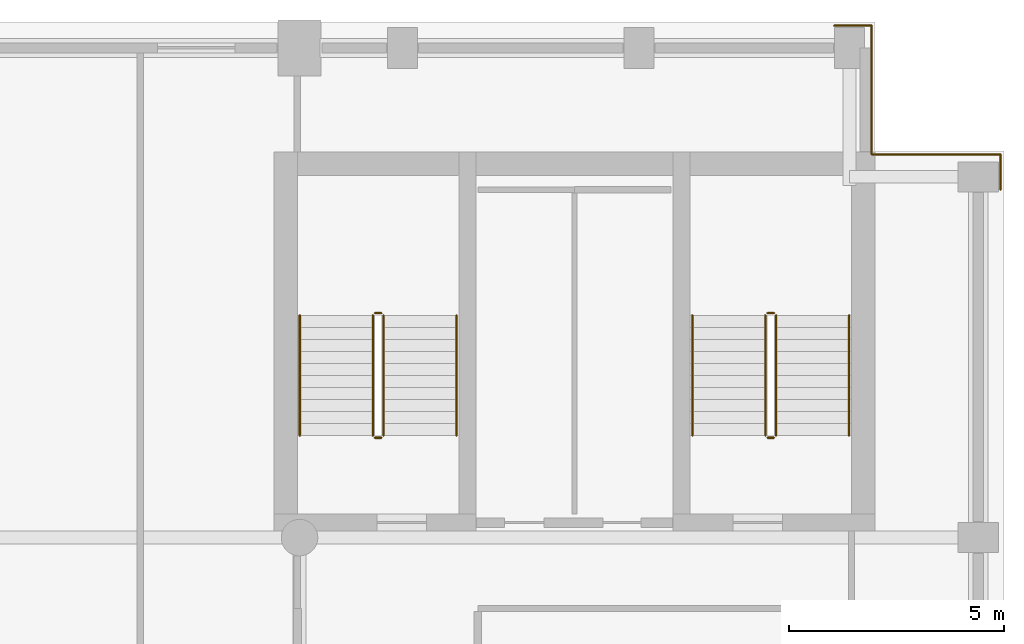
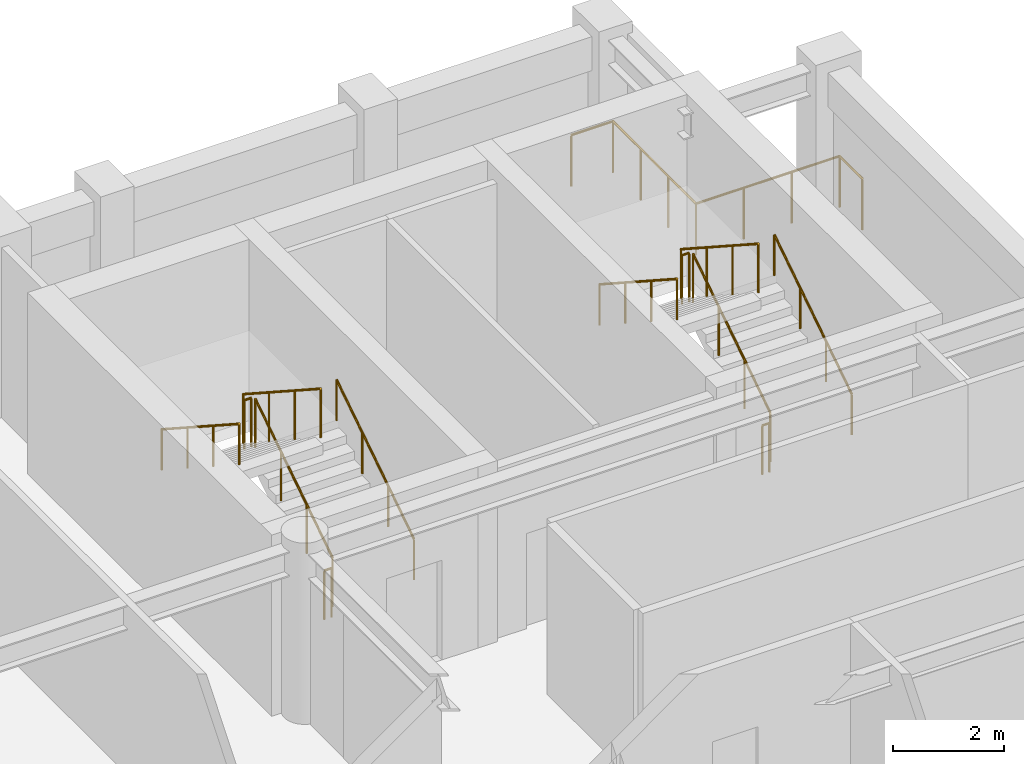
# One storey, part 9 of 9: 16 railings.
"""IFC4 building model written with IfcOpenShell, lengths in metres."""

import ifcopenshell
import ifcopenshell.guid

model = None  # the IFC model being written
_history = None  # IfcOwnerHistory: only IFC2X3 demands one
_inside = {}  # id of a spatial element -> (the spatial element, [elements in it])
_under = {}  # id of a project, library or spatial element -> (it, [spatial elements below it])
_declared = {}  # id of a project -> (the project, [libraries it declares])
_typed = {}  # id of a type object -> (the type object, [elements of that type])
_made_of = {}  # id of a material, layer set ... -> (it, [elements and type objects made of it])


def new_model(schema):
    """Start an empty IFC model of exactly this schema.

    Asked for "IFC4X3", IfcOpenShell would pick the latest addendum, in which some entities
    have other attributes; the version numbers below select the first issue.
    IFC2X3 requires an IfcOwnerHistory on every rooted entity: one is made here for all.
    """
    global model, _history
    if schema == "IFC4X3":
        model = ifcopenshell.file(schema_version=(4, 3, 0, 0))
    else:
        model = ifcopenshell.file(schema=schema)
    _inside.clear()
    _under.clear()
    _declared.clear()
    _typed.clear()
    _made_of.clear()
    _history = None
    if model.schema == "IFC2X3":
        org = make("IfcOrganization", Name="unknown")
        user = make(
            "IfcPersonAndOrganization",
            ThePerson=make("IfcPerson", FamilyName="unknown"),
            TheOrganization=org,
        )
        app = make(
            "IfcApplication",
            ApplicationDeveloper=org,
            Version="unknown",
            ApplicationFullName="unknown",
            ApplicationIdentifier="unknown",
        )
        _history = make(
            "IfcOwnerHistory",
            OwningUser=user,
            OwningApplication=app,
            ChangeAction="ADDED",
            CreationDate=0,
        )
    return model


def make(cls, **values):
    """One entity of the class cls with the attributes given. An attribute that is None is left unset."""
    return model.create_entity(
        cls, **{name: value for name, value in values.items() if value is not None}
    )


def rooted(cls, **values):
    """An entity with a GlobalId (a new one), such as an element, a storey or a relation."""
    return make(cls, GlobalId=ifcopenshell.guid.new(), OwnerHistory=_history, **values)


def si_unit(unit_type, name, prefix=None):
    """IfcSIUnit, for example si_unit("LENGTHUNIT", "METRE", prefix="MILLI")."""
    return make("IfcSIUnit", UnitType=unit_type, Prefix=prefix, Name=name)


def assignment(units):
    """IfcUnitAssignment: the units of a project."""
    return None if units is None else make("IfcUnitAssignment", Units=units)


def point(xyz):
    """IfcCartesianPoint."""
    return None if xyz is None else make("IfcCartesianPoint", Coordinates=xyz)


def direction(xyz):
    """IfcDirection."""
    return None if xyz is None else make("IfcDirection", DirectionRatios=xyz)


def frame(location, z_axis=None, x_axis=None):
    """IfcAxis2Placement3D, a coordinate frame: its origin and axes. An axis left out is left unset."""
    return make(
        "IfcAxis2Placement3D",
        Location=point(location),
        Axis=direction(z_axis),
        RefDirection=direction(x_axis),
    )


def frame_2d(location, x_axis=None):
    """IfcAxis2Placement2D, a coordinate frame in the plane: its origin and x axis."""
    return make(
        "IfcAxis2Placement2D", Location=point(location), RefDirection=direction(x_axis)
    )


def origin():
    """The frame at (0, 0, 0) with its axes left unset."""
    return frame((0.0, 0.0, 0.0))


def origin_2d():
    """The frame at (0, 0) in the plane with its x axis left unset."""
    return frame_2d((0.0, 0.0))


def place(relative_to, where):
    """IfcLocalPlacement: puts the frame where relative to a parent placement (None: the world)."""
    return make(
        "IfcLocalPlacement", PlacementRelTo=relative_to, RelativePlacement=where
    )


def context(
    kind, dimensions, precision=None, world=None, true_north=None, identifier=None
):
    """IfcGeometricRepresentationContext, for example the 3D "Model" context."""
    return make(
        "IfcGeometricRepresentationContext",
        ContextIdentifier=identifier,
        ContextType=kind,
        CoordinateSpaceDimension=dimensions,
        Precision=precision,
        WorldCoordinateSystem=world,
        TrueNorth=true_north,
    )


def subcontext(parent, identifier, kind, view, scale=None):
    """IfcGeometricRepresentationSubContext, for example "Body" below "Model"."""
    return make(
        "IfcGeometricRepresentationSubContext",
        ContextIdentifier=identifier,
        ContextType=kind,
        ParentContext=parent,
        TargetScale=scale,
        TargetView=view,
    )


def project(units=None, contexts=None):
    """IfcProject with its units and contexts."""
    return rooted(
        "IfcProject",
        Name="project",
        RepresentationContexts=contexts,
        UnitsInContext=assignment(units),
    )


def spatial(cls, under=None, at=None, **own):
    """A site, building, storey or space (cls), placed at a placement, below another one or the project."""
    s = rooted(cls, ObjectPlacement=at, **own)
    if under is not None:
        _under.setdefault(under.id(), (under, []))[1].append(s)
    return s


def profile(cls, at=None, kind="AREA", **sizes):
    """A parametric profile (cls). Its sizes go by their IFC names, for example OverallWidth=200.0."""
    return make(cls, ProfileType=kind, Position=at, **sizes)


def circle(**sizes):
    """IfcCircleProfileDef."""
    return profile("IfcCircleProfileDef", **sizes)


def extrude(swept, where, along, depth):
    """IfcExtrudedAreaSolid: the profile swept, set in the frame where, extruded along a direction by depth."""
    return make(
        "IfcExtrudedAreaSolid",
        SweptArea=swept,
        Position=where,
        ExtrudedDirection=direction(along),
        Depth=depth,
    )


def shape(context_of_items, identifier, shape_type, items):
    """IfcShapeRepresentation: the items that make up one representation, for example the "Body"."""
    return make(
        "IfcShapeRepresentation",
        ContextOfItems=context_of_items,
        RepresentationIdentifier=identifier,
        RepresentationType=shape_type,
        Items=items,
    )


def material(Name=None, Category=None):
    """IfcMaterial."""
    return make("IfcMaterial", Name=Name, Category=Category)


def made_of(thing, what):
    """Note that an element or type object is made of a material, layer set ...; save() writes the relation."""
    if what is not None:
        _made_of.setdefault(what.id(), (what, []))[1].append(thing)
    return thing


def type_object(cls, material=None, **own):
    """A type object (cls), such as IfcWallType, which elements share."""
    return made_of(rooted(cls, **own), material)


def element(
    cls,
    number,
    at=None,
    inside=None,
    cuts=None,
    type_object=None,
    material=None,
    context=None,
    identifier="Body",
    shape_type=None,
    held_by="IfcProductDefinitionShape",
    body=None,
    shapes=None,
    **own,
):
    """One element of the class cls, such as IfcWall. Its Tag is "e" and its number.

    at: its placement. inside: the storey or other place that contains it. cuts: it is an
    opening in that element (IfcRelVoidsElement). A single representation is given by context,
    identifier, shape_type and body (its items); several are given by shapes. held_by: the class
    of the entity that holds the representations. save() writes the other relations.
    """
    e = rooted(cls, Tag="e%d" % number, ObjectPlacement=at, **own)
    if body is not None:
        shapes = [shape(context, identifier, shape_type, body)]
    if shapes is not None:
        e.Representation = make(held_by, Representations=shapes)
    if inside is not None:
        _inside.setdefault(inside.id(), (inside, []))[1].append(e)
    if cuts is not None:
        rooted(
            "IfcRelVoidsElement", RelatingBuildingElement=cuts, RelatedOpeningElement=e
        )
    if type_object is not None:
        _typed.setdefault(type_object.id(), (type_object, []))[1].append(e)
    return made_of(e, material)


def aggregate(whole, parts):
    """IfcRelAggregates: a whole, such as a stair, and the parts it consists of."""
    return rooted("IfcRelAggregates", RelatingObject=whole, RelatedObjects=parts)


def save(model, path):
    """Write the relations noted so far, then the file.

    IfcRelAggregates (storeys below a building ...), IfcRelContainedInSpatialStructure (elements
    in a storey), IfcRelDefinesByType, IfcRelAssociatesMaterial and IfcRelDeclares: one each for
    every whole, place, type object, material and project.
    """
    for whole, parts in _under.values():
        aggregate(whole, parts)
    for where, things in _inside.values():
        rooted(
            "IfcRelContainedInSpatialStructure",
            RelatedElements=things,
            RelatingStructure=where,
        )
    for kind, things in _typed.values():
        rooted("IfcRelDefinesByType", RelatedObjects=things, RelatingType=kind)
    for what, things in _made_of.values():
        rooted("IfcRelAssociatesMaterial", RelatedObjects=things, RelatingMaterial=what)
    for by, libraries in _declared.values():
        rooted("IfcRelDeclares", RelatingContext=by, RelatedDefinitions=libraries)
    model.write(path)


model = new_model("IFC4")

# Units and contexts
model_context = context("Model", 3, precision=1e-05, world=origin(), true_north=direction((0.0, 1.0)))
body_context = subcontext(model_context, "Body", "Model", "MODEL_VIEW")
ifc_project = project(units=[si_unit("LENGTHUNIT", "METRE"), si_unit("AREAUNIT", "SQUARE_METRE"), si_unit("VOLUMEUNIT", "CUBIC_METRE"), si_unit("PLANEANGLEUNIT", "RADIAN"), si_unit("MASSUNIT", "GRAM", prefix="KILO")], contexts=[model_context])

# Site, building, storey
site_placement = place(None, origin())
site = spatial("IfcSite", under=ifc_project, at=site_placement, CompositionType="ELEMENT")
building_placement = place(site_placement, origin())
building = spatial("IfcBuilding", under=site, at=building_placement, Name="Sulina Concourse Tower", CompositionType="ELEMENT")
storey_placement = place(building_placement, frame((0.0, 0.0, 272.60009765625)))
storey = spatial("IfcBuildingStorey", under=building, at=storey_placement, Name="L66", CompositionType="ELEMENT", Elevation=272.60009765625)

# Railings
ifc_material_1 = material(Name="Galvanised steel railing", Category="steel")
railing_type_1 = type_object("IfcRailingType", Name="Core Stair Steel Guardrail 1150mm", PredefinedType="GUARDRAIL", material=ifc_material_1)
railing_1_placement = place(storey_placement, frame((54.050048828125, 45.919921875, 0.0)))
element("IfcRailing", 1, at=railing_1_placement, inside=storey, type_object=railing_type_1, Name="L66 perimeter edge safety guardrail NE1", PredefinedType="GUARDRAIL", context=body_context, shape_type="SweptSolid", body=[
    extrude(circle(Radius=0.02392578125, at=origin_2d()), frame((0.0, 0.0, 1.1259765625), z_axis=(1.0, 0.0, 0.0), x_axis=(0.0, 1.0, 0.0)), (0.0, 0.0, 1.0), 0.869873046875),
    extrude(circle(Radius=0.02099609375, at=origin_2d()), origin(), (0.0, 0.0, 1.0), 1.101806640625),
    extrude(circle(Radius=0.02099609375, at=origin_2d()), frame((0.869873046875, 0.0, 0.0)), (0.0, 0.0, 1.0), 1.101806640625),
])
railing_2_placement = place(storey_placement, frame((54.919921875, 45.919921875, 0.0)))
element("IfcRailing", 2, at=railing_2_placement, inside=storey, type_object=railing_type_1, Name="L66 perimeter edge safety guardrail NE2", PredefinedType="GUARDRAIL", context=body_context, shape_type="SweptSolid", body=[
    extrude(circle(Radius=0.02392578125, at=origin_2d()), frame((0.0, 0.0, 1.1259765625), z_axis=(0.0, -1.0, 0.0), x_axis=(1.0, 0.0, 0.0)), (0.0, 0.0, 1.0), 3.0),
    extrude(circle(Radius=0.02099609375, at=origin_2d()), origin(), (0.0, 0.0, 1.0), 1.101806640625),
    extrude(circle(Radius=0.02099609375, at=origin_2d()), frame((0.0, -1.0, 0.0)), (0.0, 0.0, 1.0), 1.101806640625),
    extrude(circle(Radius=0.02099609375, at=origin_2d()), frame((0.0, -2.0, 0.0)), (0.0, 0.0, 1.0), 1.101806640625),
    extrude(circle(Radius=0.02099609375, at=origin_2d()), frame((0.0, -3.0, 0.0)), (0.0, 0.0, 1.0), 1.101806640625),
])
railing_3_placement = place(storey_placement, frame((54.919921875, 42.919921875, 0.0)))
element("IfcRailing", 3, at=railing_3_placement, inside=storey, type_object=railing_type_1, Name="L66 perimeter edge safety guardrail NE3", PredefinedType="GUARDRAIL", context=body_context, shape_type="SweptSolid", body=[
    extrude(circle(Radius=0.02392578125, at=origin_2d()), frame((0.0, 0.0, 1.1259765625), z_axis=(1.0, 0.0, 0.0), x_axis=(0.0, 1.0, 0.0)), (0.0, 0.0, 1.0), 3.0),
    extrude(circle(Radius=0.02099609375, at=origin_2d()), origin(), (0.0, 0.0, 1.0), 1.101806640625),
    extrude(circle(Radius=0.02099609375, at=origin_2d()), frame((1.0, 0.0, 0.0)), (0.0, 0.0, 1.0), 1.101806640625),
    extrude(circle(Radius=0.02099609375, at=origin_2d()), frame((2.0, 0.0, 0.0)), (0.0, 0.0, 1.0), 1.101806640625),
    extrude(circle(Radius=0.02099609375, at=origin_2d()), frame((3.0, 0.0, 0.0)), (0.0, 0.0, 1.0), 1.101806640625),
])
railing_4_placement = place(storey_placement, frame((57.919921875, 42.919921875, 0.0)))
element("IfcRailing", 4, at=railing_4_placement, inside=storey, type_object=railing_type_1, Name="L66 perimeter edge safety guardrail NE4", PredefinedType="GUARDRAIL", context=body_context, shape_type="SweptSolid", body=[
    extrude(circle(Radius=0.02392578125, at=origin_2d()), frame((0.0, 0.0, 1.1259765625), z_axis=(0.0, -1.0, 0.0), x_axis=(1.0, 0.0, 0.0)), (0.0, 0.0, 1.0), 0.81982421875),
    extrude(circle(Radius=0.02099609375, at=origin_2d()), origin(), (0.0, 0.0, 1.0), 1.101806640625),
    extrude(circle(Radius=0.02099609375, at=origin_2d()), frame((0.0, -0.81982421875, 0.0)), (0.0, 0.0, 1.0), 1.101806640625),
])
railing_5_placement = place(storey_placement, frame((43.554931640625, 36.375, 0.181640625)))
element("IfcRailing", 5, at=railing_5_placement, inside=storey, type_object=railing_type_1, Name="L66 ST-3 stair guard 1", PredefinedType="GUARDRAIL", context=body_context, shape_type="SweptSolid", body=[
    extrude(circle(Radius=0.02392578125, at=origin_2d()), frame((0.0, 0.0, 1.076171875), z_axis=(0.0, 0.838672427954, 0.544636170843), x_axis=(-1.0, 0.0, 0.0)), (0.0, 0.0, 1.0), 3.338623046875),
    extrude(circle(Radius=0.02099609375, at=origin_2d()), origin(), (0.0, 0.0, 1.0), 1.052001953125),
    extrude(circle(Radius=0.02099609375, at=origin_2d()), frame((0.0, 0.933349609375, 0.606201171875)), (0.0, 0.0, 1.0), 1.052001953125),
    extrude(circle(Radius=0.02099609375, at=origin_2d()), frame((0.0, 1.86669921875, 1.212158203125)), (0.0, 0.0, 1.0), 1.052001953125),
    extrude(circle(Radius=0.02099609375, at=origin_2d()), frame((0.0, 2.800048828125, 1.818359375)), (0.0, 0.0, 1.0), 1.052001953125),
])
railing_6_placement = place(storey_placement, frame((43.5048828125, 39.22509765625, 2.0)))
element("IfcRailing", 6, at=railing_6_placement, inside=storey, type_object=railing_type_1, Name="L66 ST-3 stair guard 2", PredefinedType="GUARDRAIL", context=body_context, shape_type="SweptSolid", body=[
    extrude(circle(Radius=0.02392578125, at=origin_2d()), frame((0.0, 0.0, 1.076171875), z_axis=(-1.0, 0.0, 0.0), x_axis=(0.0, -1.0, 0.0)), (0.0, 0.0, 1.0), 0.14990234375),
    extrude(circle(Radius=0.02099609375, at=origin_2d()), origin(), (0.0, 0.0, 1.0), 1.052001953125),
    extrude(circle(Radius=0.02099609375, at=origin_2d()), frame((-0.14990234375, 0.0, 0.0)), (0.0, 0.0, 1.0), 1.052001953125),
])
railing_7_placement = place(storey_placement, frame((43.304931640625, 39.175048828125, 2.181640625)))
element("IfcRailing", 7, at=railing_7_placement, inside=storey, type_object=railing_type_1, Name="L66 ST-3 stair guard 3", PredefinedType="GUARDRAIL", context=body_context, shape_type="SweptSolid", body=[
    extrude(circle(Radius=0.02392578125, at=origin_2d()), frame((0.0, 0.0, 1.076171875), z_axis=(0.0, -0.838672427954, 0.544636170843), x_axis=(1.0, 0.0, 0.0)), (0.0, 0.0, 1.0), 3.338623046875),
    extrude(circle(Radius=0.02099609375, at=origin_2d()), origin(), (0.0, 0.0, 1.0), 1.052001953125),
    extrude(circle(Radius=0.02099609375, at=origin_2d()), frame((0.0, -0.933349609375, 0.606201171875)), (0.0, 0.0, 1.0), 1.052001953125),
    extrude(circle(Radius=0.02099609375, at=origin_2d()), frame((0.0, -1.86669921875, 1.212158203125)), (0.0, 0.0, 1.0), 1.052001953125),
    extrude(circle(Radius=0.02099609375, at=origin_2d()), frame((0.0, -2.800048828125, 1.818359375)), (0.0, 0.0, 1.0), 1.052001953125),
])
railing_8_placement = place(storey_placement, frame((43.5048828125, 36.324951171875, 0.0)))
element("IfcRailing", 8, at=railing_8_placement, inside=storey, type_object=railing_type_1, Name="L66 ST-3 stair guard 4", PredefinedType="GUARDRAIL", context=body_context, shape_type="SweptSolid", body=[
    extrude(circle(Radius=0.02392578125, at=origin_2d()), frame((0.0, 0.0, 1.076171875), z_axis=(-1.0, 0.0, 0.0), x_axis=(0.0, -1.0, 0.0)), (0.0, 0.0, 1.0), 0.14990234375),
    extrude(circle(Radius=0.02099609375, at=origin_2d()), origin(), (0.0, 0.0, 1.0), 1.052001953125),
    extrude(circle(Radius=0.02099609375, at=origin_2d()), frame((-0.14990234375, 0.0, 0.0)), (0.0, 0.0, 1.0), 1.052001953125),
])
railing_9_placement = place(storey_placement, frame((52.695068359375, 36.375, 0.181640625)))
element("IfcRailing", 9, at=railing_9_placement, inside=storey, type_object=railing_type_1, Name="L66 ST-4 stair guard 1", PredefinedType="GUARDRAIL", context=body_context, shape_type="SweptSolid", body=[
    extrude(circle(Radius=0.02392578125, at=origin_2d()), frame((0.0, 0.0, 1.076171875), z_axis=(0.0, 0.838672427954, 0.544636170843), x_axis=(-1.0, 0.0, 0.0)), (0.0, 0.0, 1.0), 3.338623046875),
    extrude(circle(Radius=0.02099609375, at=origin_2d()), origin(), (0.0, 0.0, 1.0), 1.052001953125),
    extrude(circle(Radius=0.02099609375, at=origin_2d()), frame((0.0, 0.933349609375, 0.606201171875)), (0.0, 0.0, 1.0), 1.052001953125),
    extrude(circle(Radius=0.02099609375, at=origin_2d()), frame((0.0, 1.86669921875, 1.212158203125)), (0.0, 0.0, 1.0), 1.052001953125),
    extrude(circle(Radius=0.02099609375, at=origin_2d()), frame((0.0, 2.800048828125, 1.818359375)), (0.0, 0.0, 1.0), 1.052001953125),
])
railing_10_placement = place(storey_placement, frame((52.64501953125, 39.22509765625, 2.0)))
element("IfcRailing", 10, at=railing_10_placement, inside=storey, type_object=railing_type_1, Name="L66 ST-4 stair guard 2", PredefinedType="GUARDRAIL", context=body_context, shape_type="SweptSolid", body=[
    extrude(circle(Radius=0.02392578125, at=origin_2d()), frame((0.0, 0.0, 1.076171875), z_axis=(-1.0, 0.0, 0.0), x_axis=(0.0, -1.0, 0.0)), (0.0, 0.0, 1.0), 0.14990234375),
    extrude(circle(Radius=0.02099609375, at=origin_2d()), origin(), (0.0, 0.0, 1.0), 1.052001953125),
    extrude(circle(Radius=0.02099609375, at=origin_2d()), frame((-0.14990234375, 0.0, 0.0)), (0.0, 0.0, 1.0), 1.052001953125),
])
railing_11_placement = place(storey_placement, frame((52.445068359375, 39.175048828125, 2.181640625)))
element("IfcRailing", 11, at=railing_11_placement, inside=storey, type_object=railing_type_1, Name="L66 ST-4 stair guard 3", PredefinedType="GUARDRAIL", context=body_context, shape_type="SweptSolid", body=[
    extrude(circle(Radius=0.02392578125, at=origin_2d()), frame((0.0, 0.0, 1.076171875), z_axis=(0.0, -0.838672427954, 0.544636170843), x_axis=(1.0, 0.0, 0.0)), (0.0, 0.0, 1.0), 3.338623046875),
    extrude(circle(Radius=0.02099609375, at=origin_2d()), origin(), (0.0, 0.0, 1.0), 1.052001953125),
    extrude(circle(Radius=0.02099609375, at=origin_2d()), frame((0.0, -0.933349609375, 0.606201171875)), (0.0, 0.0, 1.0), 1.052001953125),
    extrude(circle(Radius=0.02099609375, at=origin_2d()), frame((0.0, -1.86669921875, 1.212158203125)), (0.0, 0.0, 1.0), 1.052001953125),
    extrude(circle(Radius=0.02099609375, at=origin_2d()), frame((0.0, -2.800048828125, 1.818359375)), (0.0, 0.0, 1.0), 1.052001953125),
])
railing_12_placement = place(storey_placement, frame((52.64501953125, 36.324951171875, 0.0)))
element("IfcRailing", 12, at=railing_12_placement, inside=storey, type_object=railing_type_1, Name="L66 ST-4 stair guard 4", PredefinedType="GUARDRAIL", context=body_context, shape_type="SweptSolid", body=[
    extrude(circle(Radius=0.02392578125, at=origin_2d()), frame((0.0, 0.0, 1.076171875), z_axis=(-1.0, 0.0, 0.0), x_axis=(0.0, -1.0, 0.0)), (0.0, 0.0, 1.0), 0.14990234375),
    extrude(circle(Radius=0.02099609375, at=origin_2d()), origin(), (0.0, 0.0, 1.0), 1.052001953125),
    extrude(circle(Radius=0.02099609375, at=origin_2d()), frame((-0.14990234375, 0.0, 0.0)), (0.0, 0.0, 1.0), 1.052001953125),
])
ifc_material_2 = material(Name="Galvanised steel railing", Category="steel")
railing_type_2 = type_object("IfcRailingType", Name="Stair Wall Steel Handrail 920mm", PredefinedType="HANDRAIL", material=ifc_material_2)
railing_13_placement = place(storey_placement, frame((45.2548828125, 36.375, 0.181640625)))
element("IfcRailing", 13, at=railing_13_placement, inside=storey, type_object=railing_type_2, Name="L66 ST-3 stair handrail 1", PredefinedType="HANDRAIL", context=body_context, shape_type="SweptSolid", body=[
    extrude(circle(Radius=0.02392578125, at=origin_2d()), frame((0.0, 0.0, 0.89599609375), z_axis=(0.0, 0.838672427954, 0.544636170843), x_axis=(-1.0, 0.0, 0.0)), (0.0, 0.0, 1.0), 3.338623046875),
    extrude(circle(Radius=0.02099609375, at=origin_2d()), origin(), (0.0, 0.0, 1.0), 0.871826171875),
    extrude(circle(Radius=0.02099609375, at=origin_2d()), frame((0.0, 0.933349609375, 0.606201171875)), (0.0, 0.0, 1.0), 0.871826171875),
    extrude(circle(Radius=0.02099609375, at=origin_2d()), frame((0.0, 1.86669921875, 1.212158203125)), (0.0, 0.0, 1.0), 0.871826171875),
    extrude(circle(Radius=0.02099609375, at=origin_2d()), frame((0.0, 2.800048828125, 1.818359375)), (0.0, 0.0, 1.0), 0.871826171875),
])
railing_14_placement = place(storey_placement, frame((41.60498046875, 39.175048828125, 2.181640625)))
element("IfcRailing", 14, at=railing_14_placement, inside=storey, type_object=railing_type_2, Name="L66 ST-3 stair handrail 2", PredefinedType="HANDRAIL", context=body_context, shape_type="SweptSolid", body=[
    extrude(circle(Radius=0.02392578125, at=origin_2d()), frame((0.0, 0.0, 0.89599609375), z_axis=(0.0, -0.838672427954, 0.544636170843), x_axis=(1.0, 0.0, 0.0)), (0.0, 0.0, 1.0), 3.338623046875),
    extrude(circle(Radius=0.02099609375, at=origin_2d()), origin(), (0.0, 0.0, 1.0), 0.871826171875),
    extrude(circle(Radius=0.02099609375, at=origin_2d()), frame((0.0, -0.933349609375, 0.606201171875)), (0.0, 0.0, 1.0), 0.871826171875),
    extrude(circle(Radius=0.02099609375, at=origin_2d()), frame((0.0, -1.86669921875, 1.212158203125)), (0.0, 0.0, 1.0), 0.871826171875),
    extrude(circle(Radius=0.02099609375, at=origin_2d()), frame((0.0, -2.800048828125, 1.818359375)), (0.0, 0.0, 1.0), 0.871826171875),
])
railing_15_placement = place(storey_placement, frame((54.39501953125, 36.375, 0.181640625)))
element("IfcRailing", 15, at=railing_15_placement, inside=storey, type_object=railing_type_2, Name="L66 ST-4 stair handrail 1", PredefinedType="HANDRAIL", context=body_context, shape_type="SweptSolid", body=[
    extrude(circle(Radius=0.02392578125, at=origin_2d()), frame((0.0, 0.0, 0.89599609375), z_axis=(0.0, 0.838672427954, 0.544636170843), x_axis=(-1.0, 0.0, 0.0)), (0.0, 0.0, 1.0), 3.338623046875),
    extrude(circle(Radius=0.02099609375, at=origin_2d()), origin(), (0.0, 0.0, 1.0), 0.871826171875),
    extrude(circle(Radius=0.02099609375, at=origin_2d()), frame((0.0, 0.933349609375, 0.606201171875)), (0.0, 0.0, 1.0), 0.871826171875),
    extrude(circle(Radius=0.02099609375, at=origin_2d()), frame((0.0, 1.86669921875, 1.212158203125)), (0.0, 0.0, 1.0), 0.871826171875),
    extrude(circle(Radius=0.02099609375, at=origin_2d()), frame((0.0, 2.800048828125, 1.818359375)), (0.0, 0.0, 1.0), 0.871826171875),
])
railing_16_placement = place(storey_placement, frame((50.7451171875, 39.175048828125, 2.181640625)))
element("IfcRailing", 16, at=railing_16_placement, inside=storey, type_object=railing_type_2, Name="L66 ST-4 stair handrail 2", PredefinedType="HANDRAIL", context=body_context, shape_type="SweptSolid", body=[
    extrude(circle(Radius=0.02392578125, at=origin_2d()), frame((0.0, 0.0, 0.89599609375), z_axis=(0.0, -0.838672427954, 0.544636170843), x_axis=(1.0, 0.0, 0.0)), (0.0, 0.0, 1.0), 3.338623046875),
    extrude(circle(Radius=0.02099609375, at=origin_2d()), origin(), (0.0, 0.0, 1.0), 0.871826171875),
    extrude(circle(Radius=0.02099609375, at=origin_2d()), frame((0.0, -0.933349609375, 0.606201171875)), (0.0, 0.0, 1.0), 0.871826171875),
    extrude(circle(Radius=0.02099609375, at=origin_2d()), frame((0.0, -1.86669921875, 1.212158203125)), (0.0, 0.0, 1.0), 0.871826171875),
    extrude(circle(Radius=0.02099609375, at=origin_2d()), frame((0.0, -2.800048828125, 1.818359375)), (0.0, 0.0, 1.0), 0.871826171875),
])

save(model, "model.ifc")
